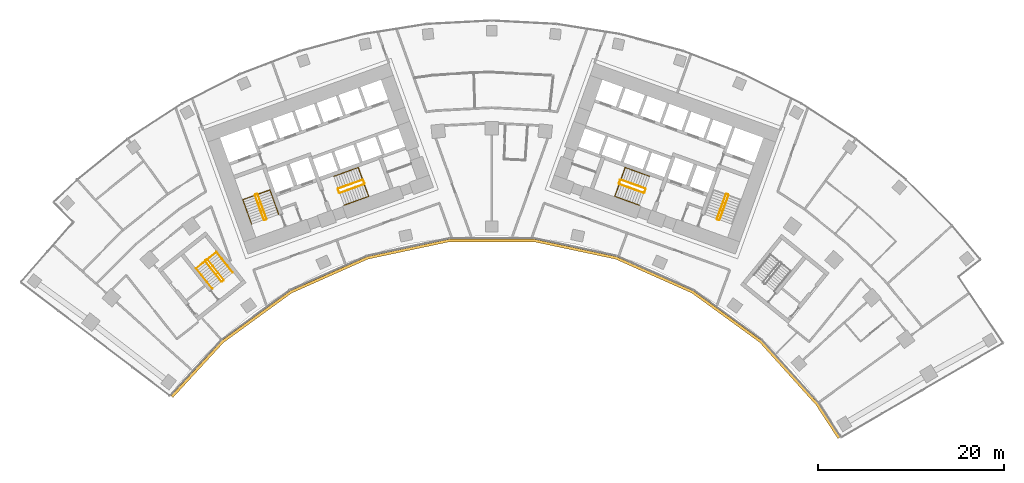
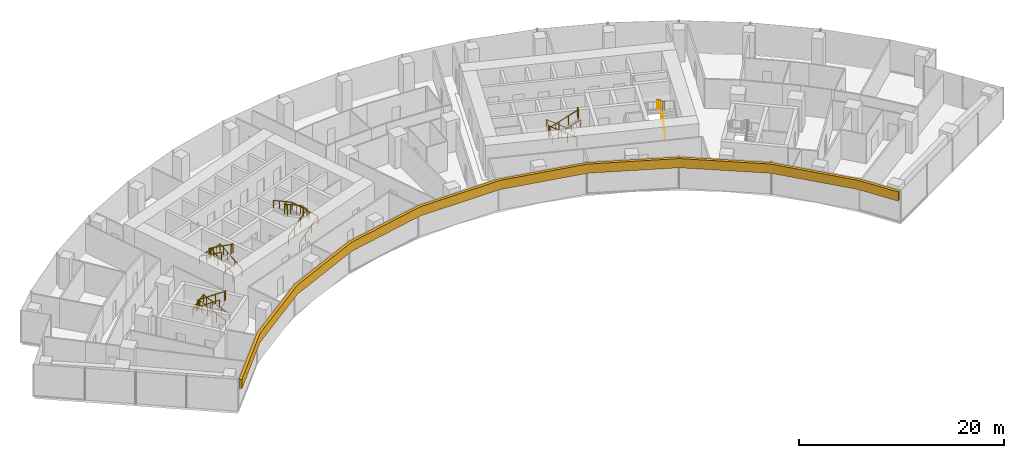
# One storey, part 20 of 21: 14 railings, 1 covering.
"""IFC4 building model written with IfcOpenShell, lengths in metres."""

from ifc_helpers import new_model, si_unit, direction, frame, origin, origin_2d, place, context, subcontext, project, spatial, polyline, circle, outline, extrude, material, layer, layer_set, type_object, element, save


model = new_model("IFC4")

# Units and contexts
model_context = context("Model", 3, precision=1e-05, world=origin(), true_north=direction((0.0, 1.0)))
body_context = subcontext(model_context, "Body", "Model", "MODEL_VIEW")
ifc_project = project(units=[si_unit("LENGTHUNIT", "METRE"), si_unit("AREAUNIT", "SQUARE_METRE"), si_unit("VOLUMEUNIT", "CUBIC_METRE"), si_unit("PLANEANGLEUNIT", "RADIAN"), si_unit("MASSUNIT", "GRAM", prefix="KILO")], contexts=[model_context])

# Site, building, storey
site_placement = place(None, origin())
site = spatial("IfcSite", under=ifc_project, at=site_placement, CompositionType="ELEMENT")
building_placement = place(site_placement, origin())
building = spatial("IfcBuilding", under=site, at=building_placement, Name="Stone Belt Terrace Tower", CompositionType="ELEMENT")
storey_placement = place(building_placement, frame((0.0, 0.0, 94.60009765625)))
storey = spatial("IfcBuildingStorey", under=building, at=storey_placement, Name="L22", CompositionType="ELEMENT", Elevation=94.60009765625)

# Railings
ifc_material_1 = material(Name="Structural steel C345", Category="steel")
railing_type_1 = type_object("IfcRailingType", Name="Stair guard 1100", PredefinedType="GUARDRAIL", material=ifc_material_1)
railing_1_placement = place(storey_placement, frame((-24.2119140625, 45.276123046875, 0.172607421875)))
element("IfcRailing", 1, at=railing_1_placement, inside=storey, type_object=railing_type_1, Name="L22 ST1A stair guard 1", PredefinedType="GUARDRAIL", context=body_context, shape_type="SweptSolid", body=[
    extrude(circle(Radius=0.02392578125, at=origin_2d()), frame((0.0, 0.0, 1.076171875), z_axis=(-0.288228637646, 0.800791768495, 0.525030280985), x_axis=(-0.940908529223, -0.338660803216, 0.0)), (0.0, 0.0, 1.0), 3.289794921875),
    extrude(circle(Radius=0.02392578125, at=origin_2d()), frame((-0.9482421875, 2.634521484375, 2.80322265625), z_axis=(-0.905209821074, 0.424964916, 0.0), x_axis=(-0.424964916, -0.905209821074, 0.0)), (0.0, 0.0, 1.0), 0.070556640625),
    extrude(circle(Radius=0.02392578125, at=origin_2d()), frame((-1.01220703125, 2.66455078125, 2.80322265625), z_axis=(-0.941105063269, -0.338114270461, 0.0), x_axis=(0.338114270461, -0.941105063269, 0.0)), (0.0, 0.0, 1.0), 0.199951171875),
    extrude(circle(Radius=0.02099609375, at=origin_2d()), origin(), (0.0, 0.0, 1.0), 1.052001953125),
    extrude(circle(Radius=0.02099609375, at=origin_2d()), frame((-0.316162109375, 0.878173828125, 0.57568359375)), (0.0, 0.0, 1.0), 1.052001953125),
    extrude(circle(Radius=0.02099609375, at=origin_2d()), frame((-0.632080078125, 1.75634765625, 1.151611328125)), (0.0, 0.0, 1.0), 1.052001953125),
    extrude(circle(Radius=0.02099609375, at=origin_2d()), frame((-0.9482421875, 2.634521484375, 1.727294921875)), (0.0, 0.0, 1.0), 1.052001953125),
    extrude(circle(Radius=0.02099609375, at=origin_2d()), frame((-1.01220703125, 2.66455078125, 1.727294921875)), (0.0, 0.0, 1.0), 1.052001953125),
    extrude(circle(Radius=0.02099609375, at=origin_2d()), frame((-1.200439453125, 2.596923828125, 1.727294921875)), (0.0, 0.0, 1.0), 1.052001953125),
])
railing_2_placement = place(storey_placement, frame((-25.4423828125, 47.80908203125, 2.072509765625)))
element("IfcRailing", 2, at=railing_2_placement, inside=storey, type_object=railing_type_1, Name="L22 ST1A stair guard 2", PredefinedType="GUARDRAIL", context=body_context, shape_type="SweptSolid", body=[
    extrude(circle(Radius=0.02392578125, at=origin_2d()), frame((0.0, 0.0, 1.076171875), z_axis=(0.288228637646, -0.800791768495, 0.525030280985), x_axis=(0.940908529223, 0.338660803216, 0.0)), (0.0, 0.0, 1.0), 3.289794921875),
    extrude(circle(Radius=0.02392578125, at=origin_2d()), frame((0.9482421875, -2.634521484375, 2.80322265625), z_axis=(0.903878284585, -0.427789722475, 0.0), x_axis=(0.427789722475, 0.903878284585, 0.0)), (0.0, 0.0, 1.0), 0.07080078125),
    extrude(circle(Radius=0.02392578125, at=origin_2d()), frame((1.01220703125, -2.664794921875, 2.80322265625), z_axis=(0.940575576748, 0.339584429008, 0.0), x_axis=(-0.339584429008, 0.940575576748, 0.0)), (0.0, 0.0, 1.0), 0.199951171875),
    extrude(circle(Radius=0.02099609375, at=origin_2d()), origin(), (0.0, 0.0, 1.0), 1.052001953125),
    extrude(circle(Radius=0.02099609375, at=origin_2d()), frame((0.316162109375, -0.878173828125, 0.57568359375)), (0.0, 0.0, 1.0), 1.052001953125),
    extrude(circle(Radius=0.02099609375, at=origin_2d()), frame((0.632080078125, -1.75634765625, 1.151611328125)), (0.0, 0.0, 1.0), 1.052001953125),
    extrude(circle(Radius=0.02099609375, at=origin_2d()), frame((0.9482421875, -2.634521484375, 1.727294921875)), (0.0, 0.0, 1.0), 1.052001953125),
    extrude(circle(Radius=0.02099609375, at=origin_2d()), frame((1.01220703125, -2.664794921875, 1.727294921875)), (0.0, 0.0, 1.0), 1.052001953125),
    extrude(circle(Radius=0.02099609375, at=origin_2d()), frame((1.2001953125, -2.596923828125, 1.727294921875)), (0.0, 0.0, 1.0), 1.052001953125),
])
railing_3_placement = place(storey_placement, frame((-16.33837890625, 48.056640625, 0.172607421875)))
element("IfcRailing", 3, at=railing_3_placement, inside=storey, type_object=railing_type_1, Name="L22 ST2A stair guard 1", PredefinedType="GUARDRAIL", context=body_context, shape_type="SweptSolid", body=[
    extrude(circle(Radius=0.02392578125, at=origin_2d()), frame((0.0, 0.0, 1.076171875), z_axis=(0.800808895155, 0.288160591223, 0.52504150989), x_axis=(-0.338583606334, 0.940936311087, 0.0)), (0.0, 0.0, 1.0), 3.289794921875),
    extrude(circle(Radius=0.02392578125, at=origin_2d()), frame((2.634521484375, 0.947998046875, 2.80322265625), z_axis=(0.427789722475, 0.903878284585, 0.0), x_axis=(-0.903878284585, 0.427789722475, 0.0)), (0.0, 0.0, 1.0), 0.07080078125),
    extrude(circle(Radius=0.02392578125, at=origin_2d()), frame((2.664794921875, 1.011962890625, 2.80322265625), z_axis=(-0.338654645739, 0.940910745459, 0.0), x_axis=(-0.940910745459, -0.338654645739, 0.0)), (0.0, 0.0, 1.0), 0.400146484375),
    extrude(circle(Radius=0.02099609375, at=origin_2d()), origin(), (0.0, 0.0, 1.0), 1.052001953125),
    extrude(circle(Radius=0.02099609375, at=origin_2d()), frame((0.878173828125, 0.31591796875, 0.57568359375)), (0.0, 0.0, 1.0), 1.052001953125),
    extrude(circle(Radius=0.02099609375, at=origin_2d()), frame((1.75634765625, 0.632080078125, 1.151611328125)), (0.0, 0.0, 1.0), 1.052001953125),
    extrude(circle(Radius=0.02099609375, at=origin_2d()), frame((2.634521484375, 0.947998046875, 1.727294921875)), (0.0, 0.0, 1.0), 1.052001953125),
    extrude(circle(Radius=0.02099609375, at=origin_2d()), frame((2.664794921875, 1.011962890625, 1.727294921875)), (0.0, 0.0, 1.0), 1.052001953125),
    extrude(circle(Radius=0.02099609375, at=origin_2d()), frame((2.529296875, 1.388427734375, 1.727294921875)), (0.0, 0.0, 1.0), 1.052001953125),
])
railing_4_placement = place(storey_placement, frame((-13.873046875, 49.47509765625, 2.072509765625)))
element("IfcRailing", 4, at=railing_4_placement, inside=storey, type_object=railing_type_1, Name="L22 ST2A stair guard 2", PredefinedType="GUARDRAIL", context=body_context, shape_type="SweptSolid", body=[
    extrude(circle(Radius=0.02392578125, at=origin_2d()), frame((0.0, 0.0, 1.076171875), z_axis=(-0.800808895155, -0.288160591223, 0.52504150989), x_axis=(0.338583606334, -0.940936311087, 0.0)), (0.0, 0.0, 1.0), 3.289794921875),
    extrude(circle(Radius=0.02392578125, at=origin_2d()), frame((-2.634521484375, -0.947998046875, 2.80322265625), z_axis=(-0.427789722475, -0.903878284585, 0.0), x_axis=(0.903878284585, -0.427789722475, 0.0)), (0.0, 0.0, 1.0), 0.07080078125),
    extrude(circle(Radius=0.02392578125, at=origin_2d()), frame((-2.664794921875, -1.011962890625, 2.80322265625), z_axis=(0.338654645739, -0.940910745459, 0.0), x_axis=(0.940910745459, 0.338654645739, 0.0)), (0.0, 0.0, 1.0), 0.400146484375),
    extrude(circle(Radius=0.02099609375, at=origin_2d()), origin(), (0.0, 0.0, 1.0), 1.052001953125),
    extrude(circle(Radius=0.02099609375, at=origin_2d()), frame((-0.878173828125, -0.31591796875, 0.57568359375)), (0.0, 0.0, 1.0), 1.052001953125),
    extrude(circle(Radius=0.02099609375, at=origin_2d()), frame((-1.75634765625, -0.632080078125, 1.151611328125)), (0.0, 0.0, 1.0), 1.052001953125),
    extrude(circle(Radius=0.02099609375, at=origin_2d()), frame((-2.634521484375, -0.947998046875, 1.727294921875)), (0.0, 0.0, 1.0), 1.052001953125),
    extrude(circle(Radius=0.02099609375, at=origin_2d()), frame((-2.664794921875, -1.011962890625, 1.727294921875)), (0.0, 0.0, 1.0), 1.052001953125),
    extrude(circle(Radius=0.02099609375, at=origin_2d()), frame((-2.529296875, -1.388427734375, 1.727294921875)), (0.0, 0.0, 1.0), 1.052001953125),
])
railing_5_placement = place(storey_placement, frame((24.494140625, 45.174560546875, 0.172607421875)))
element("IfcRailing", 5, at=railing_5_placement, inside=storey, type_object=railing_type_1, Name="L22 ST1B stair guard 1", PredefinedType="GUARDRAIL", context=body_context, shape_type="SweptSolid", body=[
    extrude(circle(Radius=0.02392578125, at=origin_2d()), frame((0.0, 0.0, 1.076171875), z_axis=(0.288228637646, 0.800791768495, 0.525030280985), x_axis=(-0.940908529223, 0.338660803216, 0.0)), (0.0, 0.0, 1.0), 3.289794921875),
    extrude(circle(Radius=0.02392578125, at=origin_2d()), frame((0.9482421875, 2.634521484375, 2.80322265625), z_axis=(-0.424964916, 0.905209821074, 0.0), x_axis=(-0.905209821074, -0.424964916, 0.0)), (0.0, 0.0, 1.0), 0.070556640625),
    extrude(circle(Radius=0.02392578125, at=origin_2d()), frame((0.918212890625, 2.698486328125, 2.80322265625), z_axis=(-0.941105063269, 0.338114270461, 0.0), x_axis=(-0.338114270461, -0.941105063269, 0.0)), (0.0, 0.0, 1.0), 0.199951171875),
    extrude(circle(Radius=0.02099609375, at=origin_2d()), origin(), (0.0, 0.0, 1.0), 1.052001953125),
    extrude(circle(Radius=0.02099609375, at=origin_2d()), frame((0.316162109375, 0.878173828125, 0.57568359375)), (0.0, 0.0, 1.0), 1.052001953125),
    extrude(circle(Radius=0.02099609375, at=origin_2d()), frame((0.632080078125, 1.75634765625, 1.151611328125)), (0.0, 0.0, 1.0), 1.052001953125),
    extrude(circle(Radius=0.02099609375, at=origin_2d()), frame((0.9482421875, 2.634521484375, 1.727294921875)), (0.0, 0.0, 1.0), 1.052001953125),
    extrude(circle(Radius=0.02099609375, at=origin_2d()), frame((0.918212890625, 2.698486328125, 1.727294921875)), (0.0, 0.0, 1.0), 1.052001953125),
    extrude(circle(Radius=0.02099609375, at=origin_2d()), frame((0.72998046875, 2.76611328125, 1.727294921875)), (0.0, 0.0, 1.0), 1.052001953125),
])
railing_6_placement = place(storey_placement, frame((25.16015625, 47.91064453125, 2.072509765625)))
element("IfcRailing", 6, at=railing_6_placement, inside=storey, type_object=railing_type_1, Name="L22 ST1B stair guard 2", PredefinedType="GUARDRAIL", context=body_context, shape_type="SweptSolid", body=[
    extrude(circle(Radius=0.02392578125, at=origin_2d()), frame((0.0, 0.0, 1.076171875), z_axis=(-0.288228637646, -0.800791768495, 0.525030280985), x_axis=(0.940908529223, -0.338660803216, 0.0)), (0.0, 0.0, 1.0), 3.289794921875),
    extrude(circle(Radius=0.02392578125, at=origin_2d()), frame((-0.9482421875, -2.634521484375, 2.80322265625), z_axis=(0.427789722475, -0.903878284585, 0.0), x_axis=(0.903878284585, 0.427789722475, 0.0)), (0.0, 0.0, 1.0), 0.07080078125),
    extrude(circle(Radius=0.02392578125, at=origin_2d()), frame((-0.91796875, -2.698486328125, 2.80322265625), z_axis=(0.940575576748, -0.339584429008, 0.0), x_axis=(0.339584429008, 0.940575576748, 0.0)), (0.0, 0.0, 1.0), 0.199951171875),
    extrude(circle(Radius=0.02099609375, at=origin_2d()), origin(), (0.0, 0.0, 1.0), 1.052001953125),
    extrude(circle(Radius=0.02099609375, at=origin_2d()), frame((-0.316162109375, -0.878173828125, 0.57568359375)), (0.0, 0.0, 1.0), 1.052001953125),
    extrude(circle(Radius=0.02099609375, at=origin_2d()), frame((-0.632080078125, -1.75634765625, 1.151611328125)), (0.0, 0.0, 1.0), 1.052001953125),
    extrude(circle(Radius=0.02099609375, at=origin_2d()), frame((-0.9482421875, -2.634521484375, 1.727294921875)), (0.0, 0.0, 1.0), 1.052001953125),
    extrude(circle(Radius=0.02099609375, at=origin_2d()), frame((-0.91796875, -2.698486328125, 1.727294921875)), (0.0, 0.0, 1.0), 1.052001953125),
    extrude(circle(Radius=0.02099609375, at=origin_2d()), frame((-0.72998046875, -2.766357421875, 1.727294921875)), (0.0, 0.0, 1.0), 1.052001953125),
])
railing_7_placement = place(storey_placement, frame((16.507568359375, 48.527099609375, 0.172607421875)))
element("IfcRailing", 7, at=railing_7_placement, inside=storey, type_object=railing_type_1, Name="L22 ST2B stair guard 1", PredefinedType="GUARDRAIL", context=body_context, shape_type="SweptSolid", body=[
    extrude(circle(Radius=0.02392578125, at=origin_2d()), frame((0.0, 0.0, 1.076171875), z_axis=(-0.800808895155, 0.288160591223, 0.52504150989), x_axis=(-0.338583606334, -0.940936311087, 0.0)), (0.0, 0.0, 1.0), 3.289794921875),
    extrude(circle(Radius=0.02392578125, at=origin_2d()), frame((-2.634521484375, 0.947998046875, 2.80322265625), z_axis=(-0.905209821074, -0.424964916, 0.0), x_axis=(0.424964916, -0.905209821074, 0.0)), (0.0, 0.0, 1.0), 0.070556640625),
    extrude(circle(Radius=0.02392578125, at=origin_2d()), frame((-2.698486328125, 0.91796875, 2.80322265625), z_axis=(-0.338654645739, -0.940910745459, 0.0), x_axis=(0.940910745459, -0.338654645739, 0.0)), (0.0, 0.0, 1.0), 0.400146484375),
    extrude(circle(Radius=0.02099609375, at=origin_2d()), origin(), (0.0, 0.0, 1.0), 1.052001953125),
    extrude(circle(Radius=0.02099609375, at=origin_2d()), frame((-0.878173828125, 0.31591796875, 0.57568359375)), (0.0, 0.0, 1.0), 1.052001953125),
    extrude(circle(Radius=0.02099609375, at=origin_2d()), frame((-1.75634765625, 0.632080078125, 1.151611328125)), (0.0, 0.0, 1.0), 1.052001953125),
    extrude(circle(Radius=0.02099609375, at=origin_2d()), frame((-2.634521484375, 0.947998046875, 1.727294921875)), (0.0, 0.0, 1.0), 1.052001953125),
    extrude(circle(Radius=0.02099609375, at=origin_2d()), frame((-2.698486328125, 0.91796875, 1.727294921875)), (0.0, 0.0, 1.0), 1.052001953125),
    extrude(circle(Radius=0.02099609375, at=origin_2d()), frame((-2.833984375, 0.54150390625, 1.727294921875)), (0.0, 0.0, 1.0), 1.052001953125),
])
railing_8_placement = place(storey_placement, frame((13.703857421875, 49.004638671875, 2.072509765625)))
element("IfcRailing", 8, at=railing_8_placement, inside=storey, type_object=railing_type_1, Name="L22 ST2B stair guard 2", PredefinedType="GUARDRAIL", context=body_context, shape_type="SweptSolid", body=[
    extrude(circle(Radius=0.02392578125, at=origin_2d()), frame((0.0, 0.0, 1.076171875), z_axis=(0.800808895155, -0.288160591223, 0.52504150989), x_axis=(0.338583606334, 0.940936311087, 0.0)), (0.0, 0.0, 1.0), 3.289794921875),
    extrude(circle(Radius=0.02392578125, at=origin_2d()), frame((2.634521484375, -0.947998046875, 2.80322265625), z_axis=(0.905209821074, 0.424964916, 0.0), x_axis=(-0.424964916, 0.905209821074, 0.0)), (0.0, 0.0, 1.0), 0.070556640625),
    extrude(circle(Radius=0.02392578125, at=origin_2d()), frame((2.698486328125, -0.91796875, 2.80322265625), z_axis=(0.338654645739, 0.940910745459, 0.0), x_axis=(-0.940910745459, 0.338654645739, 0.0)), (0.0, 0.0, 1.0), 0.400146484375),
    extrude(circle(Radius=0.02099609375, at=origin_2d()), origin(), (0.0, 0.0, 1.0), 1.052001953125),
    extrude(circle(Radius=0.02099609375, at=origin_2d()), frame((0.878173828125, -0.31591796875, 0.57568359375)), (0.0, 0.0, 1.0), 1.052001953125),
    extrude(circle(Radius=0.02099609375, at=origin_2d()), frame((1.75634765625, -0.632080078125, 1.151611328125)), (0.0, 0.0, 1.0), 1.052001953125),
    extrude(circle(Radius=0.02099609375, at=origin_2d()), frame((2.634521484375, -0.947998046875, 1.727294921875)), (0.0, 0.0, 1.0), 1.052001953125),
    extrude(circle(Radius=0.02099609375, at=origin_2d()), frame((2.698486328125, -0.91796875, 1.727294921875)), (0.0, 0.0, 1.0), 1.052001953125),
    extrude(circle(Radius=0.02099609375, at=origin_2d()), frame((2.833984375, -0.54150390625, 1.727294921875)), (0.0, 0.0, 1.0), 1.052001953125),
])
railing_9_placement = place(storey_placement, frame((-28.814208984375, 38.734619140625, 0.172607421875)))
element("IfcRailing", 9, at=railing_9_placement, inside=storey, type_object=railing_type_1, Name="L22 ST3A stair guard 1", PredefinedType="GUARDRAIL", context=body_context, shape_type="SweptSolid", body=[
    extrude(circle(Radius=0.02392578125, at=origin_2d()), frame((0.0, 0.0, 1.076171875), z_axis=(-0.530306321799, 0.665665785969, 0.525037395288), x_axis=(-0.782143211408, -0.623098705543, 0.0)), (0.0, 0.0, 1.0), 3.289794921875),
    extrude(circle(Radius=0.02392578125, at=origin_2d()), frame((-1.74462890625, 2.18994140625, 2.80322265625), z_axis=(-0.993883734674, 0.110431526075, 0.0), x_axis=(-0.110431526075, -0.993883734674, 0.0)), (0.0, 0.0, 1.0), 0.07080078125),
    extrude(circle(Radius=0.02392578125, at=origin_2d()), frame((-1.81494140625, 2.19775390625, 2.80322265625), z_axis=(-0.782533463299, -0.622608527742, 0.0), x_axis=(0.622608527742, -0.782533463299, 0.0)), (0.0, 0.0, 1.0), 0.199951171875),
    extrude(circle(Radius=0.02099609375, at=origin_2d()), origin(), (0.0, 0.0, 1.0), 1.052001953125),
    extrude(circle(Radius=0.02099609375, at=origin_2d()), frame((-0.58154296875, 0.72998046875, 0.57568359375)), (0.0, 0.0, 1.0), 1.052001953125),
    extrude(circle(Radius=0.02099609375, at=origin_2d()), frame((-1.1630859375, 1.4599609375, 1.151611328125)), (0.0, 0.0, 1.0), 1.052001953125),
    extrude(circle(Radius=0.02099609375, at=origin_2d()), frame((-1.74462890625, 2.18994140625, 1.727294921875)), (0.0, 0.0, 1.0), 1.052001953125),
    extrude(circle(Radius=0.02099609375, at=origin_2d()), frame((-1.81494140625, 2.19775390625, 1.727294921875)), (0.0, 0.0, 1.0), 1.052001953125),
    extrude(circle(Radius=0.02099609375, at=origin_2d()), frame((-1.971435546875, 2.0732421875, 1.727294921875)), (0.0, 0.0, 1.0), 1.052001953125),
])
railing_10_placement = place(storey_placement, frame((-30.793701171875, 40.737548828125, 2.072509765625)))
element("IfcRailing", 10, at=railing_10_placement, inside=storey, type_object=railing_type_1, Name="L22 ST3A stair guard 2", PredefinedType="GUARDRAIL", context=body_context, shape_type="SweptSolid", body=[
    extrude(circle(Radius=0.02392578125, at=origin_2d()), frame((0.0, 0.0, 1.076171875), z_axis=(0.530359659125, -0.665639588968, 0.525016732659), x_axis=(0.782100716982, 0.62315204284, 0.0)), (0.0, 0.0, 1.0), 3.2900390625),
    extrude(circle(Radius=0.02392578125, at=origin_2d()), frame((1.744873046875, -2.18994140625, 2.80322265625), z_axis=(0.993499272973, -0.113838458361, 0.0), x_axis=(0.113838458361, 0.993499272973, 0.0)), (0.0, 0.0, 1.0), 0.07080078125),
    extrude(circle(Radius=0.02392578125, at=origin_2d()), frame((1.815185546875, -2.197998046875, 2.80322265625), z_axis=(0.781464082609, 0.623950228458, 0.0), x_axis=(-0.623950228458, 0.781464082609, 0.0)), (0.0, 0.0, 1.0), 0.199951171875),
    extrude(circle(Radius=0.02099609375, at=origin_2d()), origin(), (0.0, 0.0, 1.0), 1.052001953125),
    extrude(circle(Radius=0.02099609375, at=origin_2d()), frame((0.58154296875, -0.72998046875, 0.57568359375)), (0.0, 0.0, 1.0), 1.052001953125),
    extrude(circle(Radius=0.02099609375, at=origin_2d()), frame((1.163330078125, -1.4599609375, 1.151611328125)), (0.0, 0.0, 1.0), 1.052001953125),
    extrude(circle(Radius=0.02099609375, at=origin_2d()), frame((1.744873046875, -2.18994140625, 1.727294921875)), (0.0, 0.0, 1.0), 1.052001953125),
    extrude(circle(Radius=0.02099609375, at=origin_2d()), frame((1.815185546875, -2.197998046875, 1.727294921875)), (0.0, 0.0, 1.0), 1.052001953125),
    extrude(circle(Radius=0.02099609375, at=origin_2d()), frame((1.971435546875, -2.0732421875, 1.727294921875)), (0.0, 0.0, 1.0), 1.052001953125),
])
railing_type_2 = type_object("IfcRailingType", Name="Stair handrail 900", PredefinedType="HANDRAIL", material=ifc_material_1)
railing_11_placement = place(storey_placement, frame((-22.894775390625, 45.750244140625, 0.172607421875)))
element("IfcRailing", 11, at=railing_11_placement, inside=storey, type_object=railing_type_2, Name="L22 ST1A stair handrail 1", PredefinedType="HANDRAIL", context=body_context, shape_type="SweptSolid", body=[
    extrude(circle(Radius=0.02392578125, at=origin_2d()), frame((0.0, 0.0, 0.8759765625), z_axis=(-0.288160591223, 0.800808895155, 0.52504150989), x_axis=(-0.940936311087, -0.338583606334, 0.0)), (0.0, 0.0, 1.0), 3.289794921875),
    extrude(circle(Radius=0.02392578125, at=origin_2d()), frame((-0.947998046875, 2.634521484375, 2.60302734375), z_axis=(-0.939464517435, -0.338106580597, 0.055591012205), x_axis=(0.338630230244, -0.940919532779, 0.0)), (0.0, 0.0, 1.0), 3.10498046875),
    extrude(circle(Radius=0.02392578125, at=origin_2d()), frame((-3.864990234375, 1.584716796875, 2.77587890625), z_axis=(0.288228637646, -0.800791768495, 0.525030280985), x_axis=(0.940908529223, 0.338660803216, 0.0)), (0.0, 0.0, 1.0), 3.289794921875),
    extrude(circle(Radius=0.02099609375, at=origin_2d()), origin(), (0.0, 0.0, 1.0), 0.851806640625),
    extrude(circle(Radius=0.02099609375, at=origin_2d()), frame((-0.31591796875, 0.878173828125, 0.57568359375)), (0.0, 0.0, 1.0), 0.851806640625),
    extrude(circle(Radius=0.02099609375, at=origin_2d()), frame((-0.632080078125, 1.75634765625, 1.151611328125)), (0.0, 0.0, 1.0), 0.851806640625),
    extrude(circle(Radius=0.02099609375, at=origin_2d()), frame((-0.947998046875, 2.634521484375, 1.727294921875)), (0.0, 0.0, 1.0), 0.851806640625),
    extrude(circle(Radius=0.02099609375, at=origin_2d()), frame((-1.92041015625, 2.28466796875, 1.784912109375)), (0.0, 0.0, 1.0), 0.851806640625),
    extrude(circle(Radius=0.02099609375, at=origin_2d()), frame((-2.892578125, 1.9345703125, 1.84228515625)), (0.0, 0.0, 1.0), 0.851806640625),
    extrude(circle(Radius=0.02099609375, at=origin_2d()), frame((-3.864990234375, 1.584716796875, 1.89990234375)), (0.0, 0.0, 1.0), 0.851806640625),
    extrude(circle(Radius=0.02099609375, at=origin_2d()), frame((-3.548828125, 0.70654296875, 2.4755859375)), (0.0, 0.0, 1.0), 0.851806640625),
    extrude(circle(Radius=0.02099609375, at=origin_2d()), frame((-3.23291015625, -0.171630859375, 3.051513671875)), (0.0, 0.0, 1.0), 0.851806640625),
    extrude(circle(Radius=0.02099609375, at=origin_2d()), frame((-2.916748046875, -1.0498046875, 3.627197265625)), (0.0, 0.0, 1.0), 0.851806640625),
])
railing_12_placement = place(storey_placement, frame((-15.8642578125, 46.7392578125, 0.172607421875)))
element("IfcRailing", 12, at=railing_12_placement, inside=storey, type_object=railing_type_2, Name="L22 ST2A stair handrail 1", PredefinedType="HANDRAIL", context=body_context, shape_type="SweptSolid", body=[
    extrude(circle(Radius=0.02392578125, at=origin_2d()), frame((0.0, 0.0, 0.8759765625), z_axis=(0.800791768495, 0.288228637646, 0.525030280985), x_axis=(-0.338660803216, 0.940908529223, 0.0)), (0.0, 0.0, 1.0), 3.289794921875),
    extrude(circle(Radius=0.02392578125, at=origin_2d()), frame((2.634521484375, 0.9482421875, 2.60302734375), z_axis=(-0.338160254016, 0.939637778147, 0.052234935458), x_axis=(-0.940922302781, -0.338622533404, 0.0)), (0.0, 0.0, 1.0), 3.304443359375),
    extrude(circle(Radius=0.02392578125, at=origin_2d()), frame((1.51708984375, 4.05322265625, 2.77587890625), z_axis=(-0.800791768495, -0.288228637646, 0.525030280985), x_axis=(0.338660803216, -0.940908529223, 0.0)), (0.0, 0.0, 1.0), 3.289794921875),
    extrude(circle(Radius=0.02099609375, at=origin_2d()), origin(), (0.0, 0.0, 1.0), 0.851806640625),
    extrude(circle(Radius=0.02099609375, at=origin_2d()), frame((0.878173828125, 0.316162109375, 0.57568359375)), (0.0, 0.0, 1.0), 0.851806640625),
    extrude(circle(Radius=0.02099609375, at=origin_2d()), frame((1.75634765625, 0.632080078125, 1.151611328125)), (0.0, 0.0, 1.0), 0.851806640625),
    extrude(circle(Radius=0.02099609375, at=origin_2d()), frame((2.634521484375, 0.9482421875, 1.727294921875)), (0.0, 0.0, 1.0), 0.851806640625),
    extrude(circle(Radius=0.02099609375, at=origin_2d()), frame((2.261962890625, 1.983154296875, 1.784912109375)), (0.0, 0.0, 1.0), 0.851806640625),
    extrude(circle(Radius=0.02099609375, at=origin_2d()), frame((1.8896484375, 3.018310546875, 1.84228515625)), (0.0, 0.0, 1.0), 0.851806640625),
    extrude(circle(Radius=0.02099609375, at=origin_2d()), frame((1.51708984375, 4.05322265625, 1.89990234375)), (0.0, 0.0, 1.0), 0.851806640625),
    extrude(circle(Radius=0.02099609375, at=origin_2d()), frame((0.638916015625, 3.737060546875, 2.4755859375)), (0.0, 0.0, 1.0), 0.851806640625),
    extrude(circle(Radius=0.02099609375, at=origin_2d()), frame((-0.2392578125, 3.421142578125, 3.051513671875)), (0.0, 0.0, 1.0), 0.851806640625),
    extrude(circle(Radius=0.02099609375, at=origin_2d()), frame((-1.117431640625, 3.10498046875, 3.627197265625)), (0.0, 0.0, 1.0), 0.851806640625),
])
railing_13_placement = place(storey_placement, frame((16.981689453125, 49.84423828125, 0.172607421875)))
element("IfcRailing", 13, at=railing_13_placement, inside=storey, type_object=railing_type_2, Name="L22 ST2B stair handrail 1", PredefinedType="HANDRAIL", context=body_context, shape_type="SweptSolid", body=[
    extrude(circle(Radius=0.02392578125, at=origin_2d()), frame((0.0, 0.0, 0.8759765625), z_axis=(-0.800791768495, 0.288228637646, 0.525030280985), x_axis=(-0.338660803216, -0.940908529223, 0.0)), (0.0, 0.0, 1.0), 3.289794921875),
    extrude(circle(Radius=0.02392578125, at=origin_2d()), frame((-2.634521484375, 0.9482421875, 2.60302734375), z_axis=(-0.338160254016, -0.939637778147, 0.052234935458), x_axis=(0.940922302781, -0.338622533404, 0.0)), (0.0, 0.0, 1.0), 3.304443359375),
    extrude(circle(Radius=0.02392578125, at=origin_2d()), frame((-3.751953125, -2.15673828125, 2.77587890625), z_axis=(0.800791768495, -0.288228637646, 0.525030280985), x_axis=(0.338660803216, 0.940908529223, 0.0)), (0.0, 0.0, 1.0), 3.289794921875),
    extrude(circle(Radius=0.02099609375, at=origin_2d()), origin(), (0.0, 0.0, 1.0), 0.851806640625),
    extrude(circle(Radius=0.02099609375, at=origin_2d()), frame((-0.878173828125, 0.316162109375, 0.57568359375)), (0.0, 0.0, 1.0), 0.851806640625),
    extrude(circle(Radius=0.02099609375, at=origin_2d()), frame((-1.75634765625, 0.632080078125, 1.151611328125)), (0.0, 0.0, 1.0), 0.851806640625),
    extrude(circle(Radius=0.02099609375, at=origin_2d()), frame((-2.634521484375, 0.9482421875, 1.727294921875)), (0.0, 0.0, 1.0), 0.851806640625),
    extrude(circle(Radius=0.02099609375, at=origin_2d()), frame((-3.007080078125, -0.086669921875, 1.784912109375)), (0.0, 0.0, 1.0), 0.851806640625),
    extrude(circle(Radius=0.02099609375, at=origin_2d()), frame((-3.37939453125, -1.121826171875, 1.84228515625)), (0.0, 0.0, 1.0), 0.851806640625),
    extrude(circle(Radius=0.02099609375, at=origin_2d()), frame((-3.751953125, -2.15673828125, 1.89990234375)), (0.0, 0.0, 1.0), 0.851806640625),
    extrude(circle(Radius=0.02099609375, at=origin_2d()), frame((-2.873779296875, -2.472900390625, 2.4755859375)), (0.0, 0.0, 1.0), 0.851806640625),
    extrude(circle(Radius=0.02099609375, at=origin_2d()), frame((-1.99560546875, -2.788818359375, 3.051513671875)), (0.0, 0.0, 1.0), 0.851806640625),
    extrude(circle(Radius=0.02099609375, at=origin_2d()), frame((-1.117431640625, -3.10498046875, 3.627197265625)), (0.0, 0.0, 1.0), 0.851806640625),
])
railing_14_placement = place(storey_placement, frame((-27.836669921875, 39.513427734375, 0.172607421875)))
element("IfcRailing", 14, at=railing_14_placement, inside=storey, type_object=railing_type_2, Name="L22 ST3A stair handrail 1", PredefinedType="HANDRAIL", context=body_context, shape_type="SweptSolid", body=[
    extrude(circle(Radius=0.02392578125, at=origin_2d()), frame((0.0, 0.0, 0.8759765625), z_axis=(-0.530306321799, 0.665665785969, 0.525037395288), x_axis=(-0.782143211408, -0.623098705543, 0.0)), (0.0, 0.0, 1.0), 3.289794921875),
    extrude(circle(Radius=0.02392578125, at=origin_2d()), frame((-1.74462890625, 2.18994140625, 2.60302734375), z_axis=(-0.780661215256, -0.62191806513, 0.061530376721), x_axis=(0.623098705543, -0.782143211408, 0.0)), (0.0, 0.0, 1.0), 2.80517578125),
    extrude(circle(Radius=0.02392578125, at=origin_2d()), frame((-3.9345703125, 0.4453125, 2.77587890625), z_axis=(0.530306321799, -0.665665785969, 0.525037395288), x_axis=(0.782143211408, 0.623098705543, 0.0)), (0.0, 0.0, 1.0), 3.289794921875),
    extrude(circle(Radius=0.02099609375, at=origin_2d()), origin(), (0.0, 0.0, 1.0), 0.851806640625),
    extrude(circle(Radius=0.02099609375, at=origin_2d()), frame((-0.58154296875, 0.72998046875, 0.57568359375)), (0.0, 0.0, 1.0), 0.851806640625),
    extrude(circle(Radius=0.02099609375, at=origin_2d()), frame((-1.1630859375, 1.4599609375, 1.151611328125)), (0.0, 0.0, 1.0), 0.851806640625),
    extrude(circle(Radius=0.02099609375, at=origin_2d()), frame((-1.74462890625, 2.18994140625, 1.727294921875)), (0.0, 0.0, 1.0), 0.851806640625),
    extrude(circle(Radius=0.02099609375, at=origin_2d()), frame((-2.474609375, 1.6083984375, 1.784912109375)), (0.0, 0.0, 1.0), 0.851806640625),
    extrude(circle(Radius=0.02099609375, at=origin_2d()), frame((-3.20458984375, 1.02685546875, 1.84228515625)), (0.0, 0.0, 1.0), 0.851806640625),
    extrude(circle(Radius=0.02099609375, at=origin_2d()), frame((-3.9345703125, 0.4453125, 1.89990234375)), (0.0, 0.0, 1.0), 0.851806640625),
    extrude(circle(Radius=0.02099609375, at=origin_2d()), frame((-3.35302734375, -0.28466796875, 2.4755859375)), (0.0, 0.0, 1.0), 0.851806640625),
    extrude(circle(Radius=0.02099609375, at=origin_2d()), frame((-2.771484375, -1.0146484375, 3.051513671875)), (0.0, 0.0, 1.0), 0.851806640625),
    extrude(circle(Radius=0.02099609375, at=origin_2d()), frame((-2.18994140625, -1.74462890625, 3.627197265625)), (0.0, 0.0, 1.0), 0.851806640625),
])

# Covering
ifc_material_2 = material(Name="Terracotta coloured glazed ceramic", Category="masonry")
ifc_layer = layer(ifc_material_2, 0.300048828125)
ifc_layer_set = layer_set([ifc_layer], Name="Terracotta spandrel band 300 x 1100")
covering_type = type_object("IfcCoveringType", Name="Terracotta spandrel band 300 x 1100", PredefinedType="CLADDING", material=ifc_layer_set)
covering_placement = place(storey_placement, frame((0.0, 0.0, 2.699951171875)))
element("IfcCovering", 15, at=covering_placement, inside=storey, type_object=covering_type, Name="BAND L22", PredefinedType="CLADDING", context=body_context, shape_type="SweptSolid", body=[
    extrude(outline(polyline([(-34.498291015625, 26.25146484375), (-29.0068359375, 32.214111328125), (-21.674560546875, 37.54150390625), (-13.395751953125, 41.2275390625), (-4.53125, 43.11181640625), (4.53125, 43.11181640625), (13.395751953125, 41.2275390625), (21.674560546875, 37.54150390625), (29.00634765625, 32.214599609375), (35.072998046875, 25.47705078125), (37.46875, 21.802001953125), (37.217529296875, 21.63818359375), (34.83447265625, 25.29345703125), (28.804443359375, 31.990478515625), (21.523681640625, 37.2802734375), (13.302490234375, 40.940673828125), (4.499755859375, 42.811767578125), (-4.499755859375, 42.811767578125), (-13.302490234375, 40.940673828125), (-21.523681640625, 37.2802734375), (-28.806396484375, 31.989013671875), (-34.277587890625, 26.04833984375), (-34.498291015625, 26.25146484375)])), origin(), (0.0, 0.0, 1.0), 1.099853515625),
])

save(model, "model.ifc")
